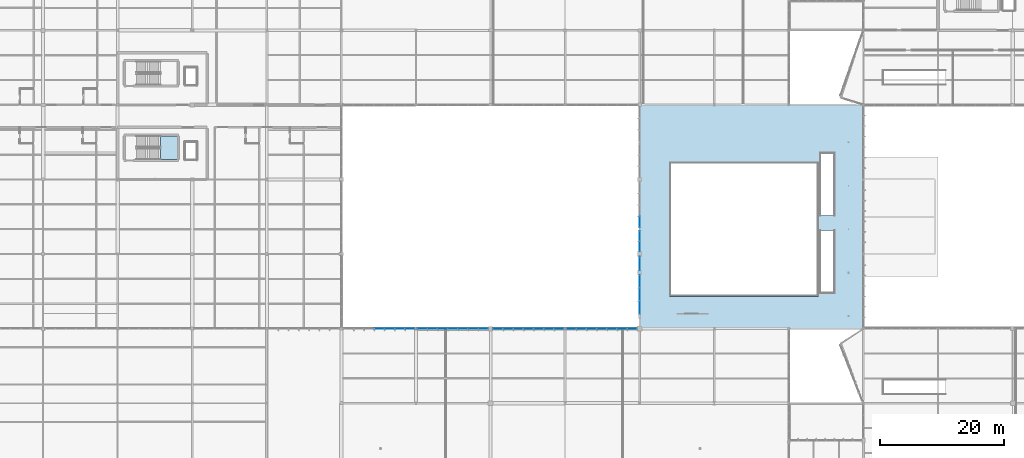
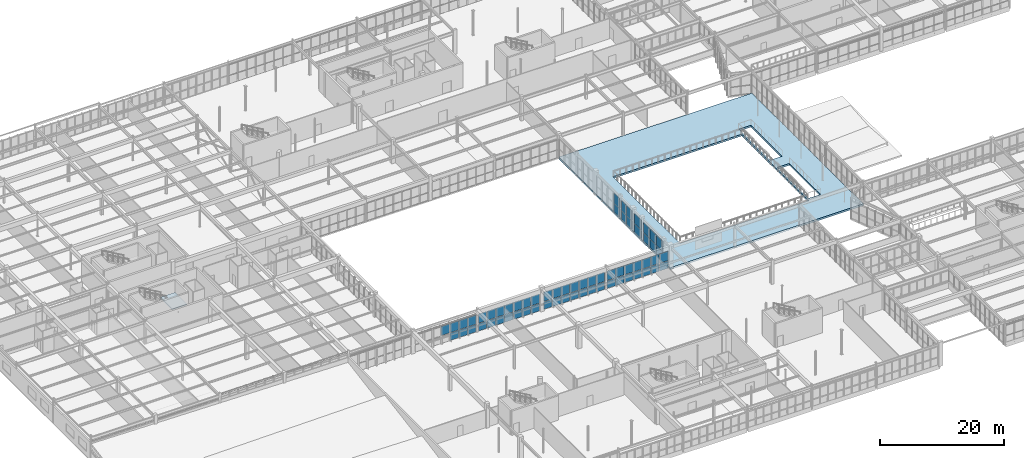
# One storey, part 138 of 226: 63 plates, 2 slabs, 9 elements without a shape of their own.
"""IFC4 building model written with IfcOpenShell, lengths in metres."""

from ifc_helpers import new_model, si_unit, direction, frame, origin, origin_2d, place, context, subcontext, project, spatial, polyline, rectangle, outline, extrude, material, layer, layer_set, type_object, element, aggregate, save


model = new_model("IFC4")

# Units and contexts
model_context = context("Model", 3, precision=1e-05, world=origin(), true_north=direction((0.0, 1.0)))
body_context = subcontext(model_context, "Body", "Model", "MODEL_VIEW")
ifc_project = project(units=[si_unit("LENGTHUNIT", "METRE"), si_unit("AREAUNIT", "SQUARE_METRE"), si_unit("VOLUMEUNIT", "CUBIC_METRE"), si_unit("PLANEANGLEUNIT", "RADIAN"), si_unit("MASSUNIT", "GRAM", prefix="KILO")], contexts=[model_context])

# Site, building, storey
site_placement = place(None, origin())
site = spatial("IfcSite", under=ifc_project, at=site_placement, CompositionType="ELEMENT")
building_placement = place(site_placement, origin())
building = spatial("IfcBuilding", under=site, at=building_placement, Name="Tarnwether General Hospital", CompositionType="ELEMENT")
storey_placement = place(building_placement, frame((0.0, 0.0, 4.800048828125)))
storey = spatial("IfcBuildingStorey", under=building, at=storey_placement, Name="L01", CompositionType="ELEMENT", Elevation=4.800048828125)

# Curtain wall, plates
ifc_material_1 = material(Name="Anodised aluminium", Category="aluminium")
ifc_layer_1 = layer(ifc_material_1, 0.159912109375)
ifc_layer_set_1 = layer_set([ifc_layer_1], Name="Anodised aluminium")
curtain_wall_type_1 = type_object("IfcCurtainWallType", Name="CW-24", PredefinedType="NOTDEFINED", material=ifc_layer_set_1)
curtain_wall_1_placement = place(storey_placement, origin())
curtain_wall_1 = element("IfcCurtainWall", 1, at=curtain_wall_1_placement, inside=storey, type_object=curtain_wall_type_1, Name="Curtain Wall CWG-L01-1076_456-0343", PredefinedType="NOTDEFINED")
ifc_material_2 = material(Name="Double glazed low-E glass", Category="glass")
ifc_layer_2 = layer(ifc_material_2, 0.028076171875)
ifc_layer_set_2 = layer_set([ifc_layer_2], Name="Double glazed low-E glass")
plate_type = type_object("IfcPlateType", Name="PT-CWP1", PredefinedType="CURTAIN_PANEL", material=ifc_layer_set_2)
plate_1_placement = place(storey_placement, frame((106.760498046875, 45.60009765625, 0.059814453125), z_axis=(0.0, 0.0, 1.0), x_axis=(-1.0, 0.0, 0.0)))
plate_1 = element("IfcPlate", 2, at=plate_1_placement, type_object=plate_type, Name="CW-24 panel 1.1", PredefinedType="CURTAIN_PANEL", context=body_context, shape_type="SweptSolid", body=[
    extrude(rectangle(XDim=1.54296875, YDim=0.028076171875, at=origin_2d()), origin(), (0.0, 0.0, 1.0), 1.49853515625),
])
plate_2_placement = place(storey_placement, frame((106.760498046875, 45.60009765625, 1.618408203125), z_axis=(0.0, 0.0, 1.0), x_axis=(-1.0, 0.0, 0.0)))
plate_2 = element("IfcPlate", 3, at=plate_2_placement, type_object=plate_type, Name="CW-24 panel 1.2", PredefinedType="CURTAIN_PANEL", context=body_context, shape_type="SweptSolid", body=[
    extrude(rectangle(XDim=1.54296875, YDim=0.028076171875, at=origin_2d()), origin(), (0.0, 0.0, 1.0), 1.8515625),
])
plate_3_placement = place(storey_placement, frame((105.142822265625, 45.60009765625, 0.059814453125), z_axis=(0.0, 0.0, 1.0), x_axis=(-1.0, 0.0, 0.0)))
plate_3 = element("IfcPlate", 4, at=plate_3_placement, type_object=plate_type, Name="CW-24 panel 2.1", PredefinedType="CURTAIN_PANEL", context=body_context, shape_type="SweptSolid", body=[
    extrude(rectangle(XDim=1.57275390625, YDim=0.028076171875, at=origin_2d()), origin(), (0.0, 0.0, 1.0), 1.49853515625),
])
plate_4_placement = place(storey_placement, frame((105.142822265625, 45.60009765625, 1.618408203125), z_axis=(0.0, 0.0, 1.0), x_axis=(-1.0, 0.0, 0.0)))
plate_4 = element("IfcPlate", 5, at=plate_4_placement, type_object=plate_type, Name="CW-24 panel 2.2", PredefinedType="CURTAIN_PANEL", context=body_context, shape_type="SweptSolid", body=[
    extrude(rectangle(XDim=1.57275390625, YDim=0.028076171875, at=origin_2d()), origin(), (0.0, 0.0, 1.0), 1.8515625),
])
plate_5_placement = place(storey_placement, frame((103.509765625, 45.60009765625, 0.059814453125), z_axis=(0.0, 0.0, 1.0), x_axis=(-1.0, 0.0, 0.0)))
plate_5 = element("IfcPlate", 6, at=plate_5_placement, type_object=plate_type, Name="CW-24 panel 3.1", PredefinedType="CURTAIN_PANEL", context=body_context, shape_type="SweptSolid", body=[
    extrude(rectangle(XDim=1.57275390625, YDim=0.028076171875, at=origin_2d()), origin(), (0.0, 0.0, 1.0), 1.49853515625),
])
plate_6_placement = place(storey_placement, frame((103.509765625, 45.60009765625, 1.618408203125), z_axis=(0.0, 0.0, 1.0), x_axis=(-1.0, 0.0, 0.0)))
plate_6 = element("IfcPlate", 7, at=plate_6_placement, type_object=plate_type, Name="CW-24 panel 3.2", PredefinedType="CURTAIN_PANEL", context=body_context, shape_type="SweptSolid", body=[
    extrude(rectangle(XDim=1.57275390625, YDim=0.028076171875, at=origin_2d()), origin(), (0.0, 0.0, 1.0), 1.8515625),
])
plate_7_placement = place(storey_placement, frame((101.876953125, 45.60009765625, 0.059814453125), z_axis=(0.0, 0.0, 1.0), x_axis=(-1.0, 0.0, 0.0)))
plate_7 = element("IfcPlate", 8, at=plate_7_placement, type_object=plate_type, Name="CW-24 panel 4.1", PredefinedType="CURTAIN_PANEL", context=body_context, shape_type="SweptSolid", body=[
    extrude(rectangle(XDim=1.57275390625, YDim=0.028076171875, at=origin_2d()), origin(), (0.0, 0.0, 1.0), 1.49853515625),
])
plate_8_placement = place(storey_placement, frame((101.876953125, 45.60009765625, 1.618408203125), z_axis=(0.0, 0.0, 1.0), x_axis=(-1.0, 0.0, 0.0)))
plate_8 = element("IfcPlate", 9, at=plate_8_placement, type_object=plate_type, Name="CW-24 panel 4.2", PredefinedType="CURTAIN_PANEL", context=body_context, shape_type="SweptSolid", body=[
    extrude(rectangle(XDim=1.57275390625, YDim=0.028076171875, at=origin_2d()), origin(), (0.0, 0.0, 1.0), 1.8515625),
])
plate_9_placement = place(storey_placement, frame((100.244140625, 45.60009765625, 0.059814453125), z_axis=(0.0, 0.0, 1.0), x_axis=(-1.0, 0.0, 0.0)))
plate_9 = element("IfcPlate", 10, at=plate_9_placement, type_object=plate_type, Name="CW-24 panel 5.1", PredefinedType="CURTAIN_PANEL", context=body_context, shape_type="SweptSolid", body=[
    extrude(rectangle(XDim=1.57275390625, YDim=0.028076171875, at=origin_2d()), origin(), (0.0, 0.0, 1.0), 1.49853515625),
])
plate_10_placement = place(storey_placement, frame((100.244140625, 45.60009765625, 1.618408203125), z_axis=(0.0, 0.0, 1.0), x_axis=(-1.0, 0.0, 0.0)))
plate_10 = element("IfcPlate", 11, at=plate_10_placement, type_object=plate_type, Name="CW-24 panel 5.2", PredefinedType="CURTAIN_PANEL", context=body_context, shape_type="SweptSolid", body=[
    extrude(rectangle(XDim=1.57275390625, YDim=0.028076171875, at=origin_2d()), origin(), (0.0, 0.0, 1.0), 1.8515625),
])
plate_11_placement = place(storey_placement, frame((98.611328125, 45.60009765625, 0.059814453125), z_axis=(0.0, 0.0, 1.0), x_axis=(-1.0, 0.0, 0.0)))
plate_11 = element("IfcPlate", 12, at=plate_11_placement, type_object=plate_type, Name="CW-24 panel 6.1", PredefinedType="CURTAIN_PANEL", context=body_context, shape_type="SweptSolid", body=[
    extrude(rectangle(XDim=1.57275390625, YDim=0.028076171875, at=origin_2d()), origin(), (0.0, 0.0, 1.0), 1.49853515625),
])
plate_12_placement = place(storey_placement, frame((98.611328125, 45.60009765625, 1.618408203125), z_axis=(0.0, 0.0, 1.0), x_axis=(-1.0, 0.0, 0.0)))
plate_12 = element("IfcPlate", 13, at=plate_12_placement, type_object=plate_type, Name="CW-24 panel 6.2", PredefinedType="CURTAIN_PANEL", context=body_context, shape_type="SweptSolid", body=[
    extrude(rectangle(XDim=1.57275390625, YDim=0.028076171875, at=origin_2d()), origin(), (0.0, 0.0, 1.0), 1.8515625),
])
plate_13_placement = place(storey_placement, frame((96.993408203125, 45.60009765625, 0.059814453125), z_axis=(0.0, 0.0, 1.0), x_axis=(-1.0, 0.0, 0.0)))
plate_13 = element("IfcPlate", 14, at=plate_13_placement, type_object=plate_type, Name="CW-24 panel 7.1", PredefinedType="CURTAIN_PANEL", context=body_context, shape_type="SweptSolid", body=[
    extrude(rectangle(XDim=1.54296875, YDim=0.028076171875, at=origin_2d()), origin(), (0.0, 0.0, 1.0), 1.49853515625),
])
plate_14_placement = place(storey_placement, frame((96.993408203125, 45.60009765625, 1.618408203125), z_axis=(0.0, 0.0, 1.0), x_axis=(-1.0, 0.0, 0.0)))
plate_14 = element("IfcPlate", 15, at=plate_14_placement, type_object=plate_type, Name="CW-24 panel 7.2", PredefinedType="CURTAIN_PANEL", context=body_context, shape_type="SweptSolid", body=[
    extrude(rectangle(XDim=1.54296875, YDim=0.028076171875, at=origin_2d()), origin(), (0.0, 0.0, 1.0), 1.8515625),
])
aggregate(curtain_wall_1, [plate_1, plate_2, plate_3, plate_4, plate_5, plate_6, plate_7, plate_8, plate_9, plate_10, plate_11, plate_12, plate_13, plate_14])

curtain_wall_2_placement = place(storey_placement, origin())
curtain_wall_2 = element("IfcCurtainWall", 16, at=curtain_wall_2_placement, inside=storey, type_object=curtain_wall_type_1, Name="Curtain Wall CWG-L01-958_456-0344", PredefinedType="NOTDEFINED")
plate_15_placement = place(storey_placement, frame((95.0029296875, 45.60009765625, 0.059814453125), z_axis=(0.0, 0.0, 1.0), x_axis=(-1.0, 0.0, 0.0)))
plate_15 = element("IfcPlate", 17, at=plate_15_placement, type_object=plate_type, Name="CW-24 panel 1.1", PredefinedType="CURTAIN_PANEL", context=body_context, shape_type="SweptSolid", body=[
    extrude(rectangle(XDim=1.550048828125, YDim=0.028076171875, at=origin_2d()), origin(), (0.0, 0.0, 1.0), 1.49853515625),
])
plate_16_placement = place(storey_placement, frame((95.0029296875, 45.60009765625, 1.618408203125), z_axis=(0.0, 0.0, 1.0), x_axis=(-1.0, 0.0, 0.0)))
plate_16 = element("IfcPlate", 18, at=plate_16_placement, type_object=plate_type, Name="CW-24 panel 1.2", PredefinedType="CURTAIN_PANEL", context=body_context, shape_type="SweptSolid", body=[
    extrude(rectangle(XDim=1.550048828125, YDim=0.028076171875, at=origin_2d()), origin(), (0.0, 0.0, 1.0), 1.8515625),
])
plate_17_placement = place(storey_placement, frame((93.3779296875, 45.60009765625, 0.059814453125), z_axis=(0.0, 0.0, 1.0), x_axis=(-1.0, 0.0, 0.0)))
plate_17 = element("IfcPlate", 19, at=plate_17_placement, type_object=plate_type, Name="CW-24 panel 2.1", PredefinedType="CURTAIN_PANEL", context=body_context, shape_type="SweptSolid", body=[
    extrude(rectangle(XDim=1.580078125, YDim=0.028076171875, at=origin_2d()), origin(), (0.0, 0.0, 1.0), 1.49853515625),
])
plate_18_placement = place(storey_placement, frame((93.3779296875, 45.60009765625, 1.618408203125), z_axis=(0.0, 0.0, 1.0), x_axis=(-1.0, 0.0, 0.0)))
plate_18 = element("IfcPlate", 20, at=plate_18_placement, type_object=plate_type, Name="CW-24 panel 2.2", PredefinedType="CURTAIN_PANEL", context=body_context, shape_type="SweptSolid", body=[
    extrude(rectangle(XDim=1.580078125, YDim=0.028076171875, at=origin_2d()), origin(), (0.0, 0.0, 1.0), 1.8515625),
])
plate_19_placement = place(storey_placement, frame((91.738037109375, 45.60009765625, 0.059814453125), z_axis=(0.0, 0.0, 1.0), x_axis=(-1.0, 0.0, 0.0)))
plate_19 = element("IfcPlate", 21, at=plate_19_placement, type_object=plate_type, Name="CW-24 panel 3.1", PredefinedType="CURTAIN_PANEL", context=body_context, shape_type="SweptSolid", body=[
    extrude(rectangle(XDim=1.580078125, YDim=0.028076171875, at=origin_2d()), origin(), (0.0, 0.0, 1.0), 1.49853515625),
])
plate_20_placement = place(storey_placement, frame((91.738037109375, 45.60009765625, 1.618408203125), z_axis=(0.0, 0.0, 1.0), x_axis=(-1.0, 0.0, 0.0)))
plate_20 = element("IfcPlate", 22, at=plate_20_placement, type_object=plate_type, Name="CW-24 panel 3.2", PredefinedType="CURTAIN_PANEL", context=body_context, shape_type="SweptSolid", body=[
    extrude(rectangle(XDim=1.580078125, YDim=0.028076171875, at=origin_2d()), origin(), (0.0, 0.0, 1.0), 1.8515625),
])
plate_21_placement = place(storey_placement, frame((90.097900390625, 45.60009765625, 0.059814453125), z_axis=(0.0, 0.0, 1.0), x_axis=(-1.0, 0.0, 0.0)))
plate_21 = element("IfcPlate", 23, at=plate_21_placement, type_object=plate_type, Name="CW-24 panel 4.1", PredefinedType="CURTAIN_PANEL", context=body_context, shape_type="SweptSolid", body=[
    extrude(rectangle(XDim=1.580078125, YDim=0.028076171875, at=origin_2d()), origin(), (0.0, 0.0, 1.0), 1.49853515625),
])
plate_22_placement = place(storey_placement, frame((90.097900390625, 45.60009765625, 1.618408203125), z_axis=(0.0, 0.0, 1.0), x_axis=(-1.0, 0.0, 0.0)))
plate_22 = element("IfcPlate", 24, at=plate_22_placement, type_object=plate_type, Name="CW-24 panel 4.2", PredefinedType="CURTAIN_PANEL", context=body_context, shape_type="SweptSolid", body=[
    extrude(rectangle(XDim=1.580078125, YDim=0.028076171875, at=origin_2d()), origin(), (0.0, 0.0, 1.0), 1.8515625),
])
plate_23_placement = place(storey_placement, frame((88.4580078125, 45.60009765625, 0.059814453125), z_axis=(0.0, 0.0, 1.0), x_axis=(-1.0, 0.0, 0.0)))
plate_23 = element("IfcPlate", 25, at=plate_23_placement, type_object=plate_type, Name="CW-24 panel 5.1", PredefinedType="CURTAIN_PANEL", context=body_context, shape_type="SweptSolid", body=[
    extrude(rectangle(XDim=1.580078125, YDim=0.028076171875, at=origin_2d()), origin(), (0.0, 0.0, 1.0), 1.49853515625),
])
plate_24_placement = place(storey_placement, frame((88.4580078125, 45.60009765625, 1.618408203125), z_axis=(0.0, 0.0, 1.0), x_axis=(-1.0, 0.0, 0.0)))
plate_24 = element("IfcPlate", 26, at=plate_24_placement, type_object=plate_type, Name="CW-24 panel 5.2", PredefinedType="CURTAIN_PANEL", context=body_context, shape_type="SweptSolid", body=[
    extrude(rectangle(XDim=1.580078125, YDim=0.028076171875, at=origin_2d()), origin(), (0.0, 0.0, 1.0), 1.8515625),
])
plate_25_placement = place(storey_placement, frame((86.818115234375, 45.60009765625, 0.059814453125), z_axis=(0.0, 0.0, 1.0), x_axis=(-1.0, 0.0, 0.0)))
plate_25 = element("IfcPlate", 27, at=plate_25_placement, type_object=plate_type, Name="CW-24 panel 6.1", PredefinedType="CURTAIN_PANEL", context=body_context, shape_type="SweptSolid", body=[
    extrude(rectangle(XDim=1.580078125, YDim=0.028076171875, at=origin_2d()), origin(), (0.0, 0.0, 1.0), 1.49853515625),
])
plate_26_placement = place(storey_placement, frame((86.818115234375, 45.60009765625, 1.618408203125), z_axis=(0.0, 0.0, 1.0), x_axis=(-1.0, 0.0, 0.0)))
plate_26 = element("IfcPlate", 28, at=plate_26_placement, type_object=plate_type, Name="CW-24 panel 6.2", PredefinedType="CURTAIN_PANEL", context=body_context, shape_type="SweptSolid", body=[
    extrude(rectangle(XDim=1.580078125, YDim=0.028076171875, at=origin_2d()), origin(), (0.0, 0.0, 1.0), 1.8515625),
])
plate_27_placement = place(storey_placement, frame((85.193115234375, 45.60009765625, 0.059814453125), z_axis=(0.0, 0.0, 1.0), x_axis=(-1.0, 0.0, 0.0)))
plate_27 = element("IfcPlate", 29, at=plate_27_placement, type_object=plate_type, Name="CW-24 panel 7.1", PredefinedType="CURTAIN_PANEL", context=body_context, shape_type="SweptSolid", body=[
    extrude(rectangle(XDim=1.550048828125, YDim=0.028076171875, at=origin_2d()), origin(), (0.0, 0.0, 1.0), 1.49853515625),
])
plate_28_placement = place(storey_placement, frame((85.193115234375, 45.60009765625, 1.618408203125), z_axis=(0.0, 0.0, 1.0), x_axis=(-1.0, 0.0, 0.0)))
plate_28 = element("IfcPlate", 30, at=plate_28_placement, type_object=plate_type, Name="CW-24 panel 7.2", PredefinedType="CURTAIN_PANEL", context=body_context, shape_type="SweptSolid", body=[
    extrude(rectangle(XDim=1.550048828125, YDim=0.028076171875, at=origin_2d()), origin(), (0.0, 0.0, 1.0), 1.8515625),
])
aggregate(curtain_wall_2, [plate_15, plate_16, plate_17, plate_18, plate_19, plate_20, plate_21, plate_22, plate_23, plate_24, plate_25, plate_26, plate_27, plate_28])

curtain_wall_3_placement = place(storey_placement, origin())
curtain_wall_3 = element("IfcCurtainWall", 31, at=curtain_wall_3_placement, inside=storey, type_object=curtain_wall_type_1, Name="Curtain Wall CWG-L01-836_456-0345", PredefinedType="NOTDEFINED")
plate_29_placement = place(storey_placement, frame((82.806884765625, 45.60009765625, 0.059814453125), z_axis=(0.0, 0.0, 1.0), x_axis=(-1.0, 0.0, 0.0)))
plate_29 = element("IfcPlate", 32, at=plate_29_placement, type_object=plate_type, Name="CW-24 panel 1.1", PredefinedType="CURTAIN_PANEL", context=body_context, shape_type="SweptSolid", body=[
    extrude(rectangle(XDim=1.55029296875, YDim=0.028076171875, at=origin_2d()), origin(), (0.0, 0.0, 1.0), 1.47607421875),
])
plate_30_placement = place(storey_placement, frame((82.806884765625, 45.60009765625, 1.59619140625), z_axis=(0.0, 0.0, 1.0), x_axis=(-1.0, 0.0, 0.0)))
plate_30 = element("IfcPlate", 33, at=plate_30_placement, type_object=plate_type, Name="CW-24 panel 1.2", PredefinedType="CURTAIN_PANEL", context=body_context, shape_type="SweptSolid", body=[
    extrude(rectangle(XDim=1.55029296875, YDim=0.028076171875, at=origin_2d()), origin(), (0.0, 0.0, 1.0), 1.823974609375),
])
plate_31_placement = place(storey_placement, frame((81.181640625, 45.60009765625, 0.059814453125), z_axis=(0.0, 0.0, 1.0), x_axis=(-1.0, 0.0, 0.0)))
plate_31 = element("IfcPlate", 34, at=plate_31_placement, type_object=plate_type, Name="CW-24 panel 2.1", PredefinedType="CURTAIN_PANEL", context=body_context, shape_type="SweptSolid", body=[
    extrude(rectangle(XDim=1.580322265625, YDim=0.028076171875, at=origin_2d()), origin(), (0.0, 0.0, 1.0), 1.47607421875),
])
plate_32_placement = place(storey_placement, frame((81.181640625, 45.60009765625, 1.59619140625), z_axis=(0.0, 0.0, 1.0), x_axis=(-1.0, 0.0, 0.0)))
plate_32 = element("IfcPlate", 35, at=plate_32_placement, type_object=plate_type, Name="CW-24 panel 2.2", PredefinedType="CURTAIN_PANEL", context=body_context, shape_type="SweptSolid", body=[
    extrude(rectangle(XDim=1.580322265625, YDim=0.028076171875, at=origin_2d()), origin(), (0.0, 0.0, 1.0), 1.823974609375),
])
plate_33_placement = place(storey_placement, frame((79.541259765625, 45.60009765625, 0.059814453125), z_axis=(0.0, 0.0, 1.0), x_axis=(-1.0, 0.0, 0.0)))
plate_33 = element("IfcPlate", 36, at=plate_33_placement, type_object=plate_type, Name="CW-24 panel 3.1", PredefinedType="CURTAIN_PANEL", context=body_context, shape_type="SweptSolid", body=[
    extrude(rectangle(XDim=1.580322265625, YDim=0.028076171875, at=origin_2d()), origin(), (0.0, 0.0, 1.0), 1.47607421875),
])
plate_34_placement = place(storey_placement, frame((79.541259765625, 45.60009765625, 1.59619140625), z_axis=(0.0, 0.0, 1.0), x_axis=(-1.0, 0.0, 0.0)))
plate_34 = element("IfcPlate", 37, at=plate_34_placement, type_object=plate_type, Name="CW-24 panel 3.2", PredefinedType="CURTAIN_PANEL", context=body_context, shape_type="SweptSolid", body=[
    extrude(rectangle(XDim=1.580322265625, YDim=0.028076171875, at=origin_2d()), origin(), (0.0, 0.0, 1.0), 1.823974609375),
])
plate_35_placement = place(storey_placement, frame((77.90087890625, 45.60009765625, 0.059814453125), z_axis=(0.0, 0.0, 1.0), x_axis=(-1.0, 0.0, 0.0)))
plate_35 = element("IfcPlate", 38, at=plate_35_placement, type_object=plate_type, Name="CW-24 panel 4.1", PredefinedType="CURTAIN_PANEL", context=body_context, shape_type="SweptSolid", body=[
    extrude(rectangle(XDim=1.580322265625, YDim=0.028076171875, at=origin_2d()), origin(), (0.0, 0.0, 1.0), 1.47607421875),
])
plate_36_placement = place(storey_placement, frame((77.90087890625, 45.60009765625, 1.59619140625), z_axis=(0.0, 0.0, 1.0), x_axis=(-1.0, 0.0, 0.0)))
plate_36 = element("IfcPlate", 39, at=plate_36_placement, type_object=plate_type, Name="CW-24 panel 4.2", PredefinedType="CURTAIN_PANEL", context=body_context, shape_type="SweptSolid", body=[
    extrude(rectangle(XDim=1.580322265625, YDim=0.028076171875, at=origin_2d()), origin(), (0.0, 0.0, 1.0), 1.823974609375),
])
plate_37_placement = place(storey_placement, frame((76.2607421875, 45.60009765625, 0.059814453125), z_axis=(0.0, 0.0, 1.0), x_axis=(-1.0, 0.0, 0.0)))
plate_37 = element("IfcPlate", 40, at=plate_37_placement, type_object=plate_type, Name="CW-24 panel 5.1", PredefinedType="CURTAIN_PANEL", context=body_context, shape_type="SweptSolid", body=[
    extrude(rectangle(XDim=1.580322265625, YDim=0.028076171875, at=origin_2d()), origin(), (0.0, 0.0, 1.0), 1.47607421875),
])
plate_38_placement = place(storey_placement, frame((76.2607421875, 45.60009765625, 1.59619140625), z_axis=(0.0, 0.0, 1.0), x_axis=(-1.0, 0.0, 0.0)))
plate_38 = element("IfcPlate", 41, at=plate_38_placement, type_object=plate_type, Name="CW-24 panel 5.2", PredefinedType="CURTAIN_PANEL", context=body_context, shape_type="SweptSolid", body=[
    extrude(rectangle(XDim=1.580322265625, YDim=0.028076171875, at=origin_2d()), origin(), (0.0, 0.0, 1.0), 1.823974609375),
])
plate_39_placement = place(storey_placement, frame((74.620361328125, 45.60009765625, 0.059814453125), z_axis=(0.0, 0.0, 1.0), x_axis=(-1.0, 0.0, 0.0)))
plate_39 = element("IfcPlate", 42, at=plate_39_placement, type_object=plate_type, Name="CW-24 panel 6.1", PredefinedType="CURTAIN_PANEL", context=body_context, shape_type="SweptSolid", body=[
    extrude(rectangle(XDim=1.580322265625, YDim=0.028076171875, at=origin_2d()), origin(), (0.0, 0.0, 1.0), 1.47607421875),
])
plate_40_placement = place(storey_placement, frame((74.620361328125, 45.60009765625, 1.59619140625), z_axis=(0.0, 0.0, 1.0), x_axis=(-1.0, 0.0, 0.0)))
plate_40 = element("IfcPlate", 43, at=plate_40_placement, type_object=plate_type, Name="CW-24 panel 6.2", PredefinedType="CURTAIN_PANEL", context=body_context, shape_type="SweptSolid", body=[
    extrude(rectangle(XDim=1.580322265625, YDim=0.028076171875, at=origin_2d()), origin(), (0.0, 0.0, 1.0), 1.823974609375),
])
plate_41_placement = place(storey_placement, frame((72.9951171875, 45.60009765625, 0.059814453125), z_axis=(0.0, 0.0, 1.0), x_axis=(-1.0, 0.0, 0.0)))
plate_41 = element("IfcPlate", 44, at=plate_41_placement, type_object=plate_type, Name="CW-24 panel 7.1", PredefinedType="CURTAIN_PANEL", context=body_context, shape_type="SweptSolid", body=[
    extrude(rectangle(XDim=1.55029296875, YDim=0.028076171875, at=origin_2d()), origin(), (0.0, 0.0, 1.0), 1.47607421875),
])
plate_42_placement = place(storey_placement, frame((72.9951171875, 45.60009765625, 1.59619140625), z_axis=(0.0, 0.0, 1.0), x_axis=(-1.0, 0.0, 0.0)))
plate_42 = element("IfcPlate", 45, at=plate_42_placement, type_object=plate_type, Name="CW-24 panel 7.2", PredefinedType="CURTAIN_PANEL", context=body_context, shape_type="SweptSolid", body=[
    extrude(rectangle(XDim=1.55029296875, YDim=0.028076171875, at=origin_2d()), origin(), (0.0, 0.0, 1.0), 1.823974609375),
])
aggregate(curtain_wall_3, [plate_29, plate_30, plate_31, plate_32, plate_33, plate_34, plate_35, plate_36, plate_37, plate_38, plate_39, plate_40, plate_41, plate_42])

curtain_wall_4_placement = place(storey_placement, origin())
curtain_wall_4 = element("IfcCurtainWall", 46, at=curtain_wall_4_placement, inside=storey, type_object=curtain_wall_type_1, Name="Curtain Wall CWG-L01-718_456-0346", PredefinedType="NOTDEFINED")
plate_43_placement = place(storey_placement, frame((71.001220703125, 45.60009765625, 0.059814453125), z_axis=(0.0, 0.0, 1.0), x_axis=(-1.0, 0.0, 0.0)))
plate_43 = element("IfcPlate", 47, at=plate_43_placement, type_object=plate_type, Name="CW-24 panel 1.1", PredefinedType="CURTAIN_PANEL", context=body_context, shape_type="SweptSolid", body=[
    extrude(rectangle(XDim=1.557373046875, YDim=0.028076171875, at=origin_2d()), origin(), (0.0, 0.0, 1.0), 1.47607421875),
])
plate_44_placement = place(storey_placement, frame((71.001220703125, 45.60009765625, 1.59619140625), z_axis=(0.0, 0.0, 1.0), x_axis=(-1.0, 0.0, 0.0)))
plate_44 = element("IfcPlate", 48, at=plate_44_placement, type_object=plate_type, Name="CW-24 panel 1.2", PredefinedType="CURTAIN_PANEL", context=body_context, shape_type="SweptSolid", body=[
    extrude(rectangle(XDim=1.557373046875, YDim=0.028076171875, at=origin_2d()), origin(), (0.0, 0.0, 1.0), 1.823974609375),
])
plate_45_placement = place(storey_placement, frame((69.368896484375, 45.60009765625, 0.059814453125), z_axis=(0.0, 0.0, 1.0), x_axis=(-1.0, 0.0, 0.0)))
plate_45 = element("IfcPlate", 49, at=plate_45_placement, type_object=plate_type, Name="CW-24 panel 2.1", PredefinedType="CURTAIN_PANEL", context=body_context, shape_type="SweptSolid", body=[
    extrude(rectangle(XDim=1.58740234375, YDim=0.028076171875, at=origin_2d()), origin(), (0.0, 0.0, 1.0), 1.47607421875),
])
plate_46_placement = place(storey_placement, frame((69.368896484375, 45.60009765625, 1.59619140625), z_axis=(0.0, 0.0, 1.0), x_axis=(-1.0, 0.0, 0.0)))
plate_46 = element("IfcPlate", 50, at=plate_46_placement, type_object=plate_type, Name="CW-24 panel 2.2", PredefinedType="CURTAIN_PANEL", context=body_context, shape_type="SweptSolid", body=[
    extrude(rectangle(XDim=1.58740234375, YDim=0.028076171875, at=origin_2d()), origin(), (0.0, 0.0, 1.0), 1.823974609375),
])
plate_47_placement = place(storey_placement, frame((67.721435546875, 45.60009765625, 0.059814453125), z_axis=(0.0, 0.0, 1.0), x_axis=(-1.0, 0.0, 0.0)))
plate_47 = element("IfcPlate", 51, at=plate_47_placement, type_object=plate_type, Name="CW-24 panel 3.1", PredefinedType="CURTAIN_PANEL", context=body_context, shape_type="SweptSolid", body=[
    extrude(rectangle(XDim=1.58740234375, YDim=0.028076171875, at=origin_2d()), origin(), (0.0, 0.0, 1.0), 1.47607421875),
])
plate_48_placement = place(storey_placement, frame((67.721435546875, 45.60009765625, 1.59619140625), z_axis=(0.0, 0.0, 1.0), x_axis=(-1.0, 0.0, 0.0)))
plate_48 = element("IfcPlate", 52, at=plate_48_placement, type_object=plate_type, Name="CW-24 panel 3.2", PredefinedType="CURTAIN_PANEL", context=body_context, shape_type="SweptSolid", body=[
    extrude(rectangle(XDim=1.58740234375, YDim=0.028076171875, at=origin_2d()), origin(), (0.0, 0.0, 1.0), 1.823974609375),
])
plate_49_placement = place(storey_placement, frame((66.073974609375, 45.60009765625, 1.59619140625), z_axis=(0.0, 0.0, 1.0), x_axis=(-1.0, 0.0, 0.0)))
plate_49 = element("IfcPlate", 53, at=plate_49_placement, type_object=plate_type, Name="CW-24 panel 4.2", PredefinedType="CURTAIN_PANEL", context=body_context, shape_type="SweptSolid", body=[
    extrude(rectangle(XDim=1.58740234375, YDim=0.028076171875, at=origin_2d()), origin(), (0.0, 0.0, 1.0), 1.823974609375),
])
aggregate(curtain_wall_4, [plate_43, plate_44, plate_45, plate_46, plate_47, plate_48, plate_49])

ifc_material_3 = material(Name="Anodised aluminium", Category="aluminium")
ifc_layer_3 = layer(ifc_material_3, 0.179931640625)
ifc_layer_set_3 = layer_set([ifc_layer_3], Name="Anodised aluminium")
curtain_wall_type_2 = type_object("IfcCurtainWallType", Name="CW-07", PredefinedType="NOTDEFINED", material=ifc_layer_set_3)
curtain_wall_5_placement = place(storey_placement, origin())
curtain_wall_5 = element("IfcCurtainWall", 54, at=curtain_wall_5_placement, inside=storey, type_object=curtain_wall_type_2, Name="Curtain Wall CWG-L01-1080_480-0355", PredefinedType="NOTDEFINED")
plate_50_placement = place(storey_placement, frame((108.0, 49.0244140625, 0.06005859375), z_axis=(0.0, 0.0, 1.0), x_axis=(0.0, 1.0, 0.0)))
plate_50 = element("IfcPlate", 55, at=plate_50_placement, type_object=plate_type, Name="CW-07 panel 1.1", PredefinedType="CURTAIN_PANEL", context=body_context, shape_type="SweptSolid", body=[
    extrude(rectangle(XDim=2.012939453125, YDim=0.028076171875, at=origin_2d()), origin(), (0.0, 0.0, 1.0), 1.628173828125),
])
plate_51_placement = place(storey_placement, frame((108.0, 49.0244140625, 1.748046875), z_axis=(0.0, 0.0, 1.0), x_axis=(0.0, 1.0, 0.0)))
plate_51 = element("IfcPlate", 56, at=plate_51_placement, type_object=plate_type, Name="CW-07 panel 1.2", PredefinedType="CURTAIN_PANEL", context=body_context, shape_type="SweptSolid", body=[
    extrude(rectangle(XDim=2.012939453125, YDim=0.028076171875, at=origin_2d()), origin(), (0.0, 0.0, 1.0), 2.010009765625),
])
plate_52_placement = place(storey_placement, frame((108.0, 51.112548828125, 0.06005859375), z_axis=(0.0, 0.0, 1.0), x_axis=(0.0, 1.0, 0.0)))
plate_52 = element("IfcPlate", 57, at=plate_52_placement, type_object=plate_type, Name="CW-07 panel 2.1", PredefinedType="CURTAIN_PANEL", context=body_context, shape_type="SweptSolid", body=[
    extrude(rectangle(XDim=2.04296875, YDim=0.028076171875, at=origin_2d()), origin(), (0.0, 0.0, 1.0), 1.628173828125),
])
plate_53_placement = place(storey_placement, frame((108.0, 51.112548828125, 1.748046875), z_axis=(0.0, 0.0, 1.0), x_axis=(0.0, 1.0, 0.0)))
plate_53 = element("IfcPlate", 58, at=plate_53_placement, type_object=plate_type, Name="CW-07 panel 2.2", PredefinedType="CURTAIN_PANEL", context=body_context, shape_type="SweptSolid", body=[
    extrude(rectangle(XDim=2.04296875, YDim=0.028076171875, at=origin_2d()), origin(), (0.0, 0.0, 1.0), 2.010009765625),
])
plate_54_placement = place(storey_placement, frame((108.0, 53.200439453125, 0.06005859375), z_axis=(0.0, 0.0, 1.0), x_axis=(0.0, 1.0, 0.0)))
plate_54 = element("IfcPlate", 59, at=plate_54_placement, type_object=plate_type, Name="CW-07 panel 3.1", PredefinedType="CURTAIN_PANEL", context=body_context, shape_type="SweptSolid", body=[
    extrude(rectangle(XDim=2.012939453125, YDim=0.028076171875, at=origin_2d()), origin(), (0.0, 0.0, 1.0), 1.628173828125),
])
plate_55_placement = place(storey_placement, frame((108.0, 53.200439453125, 1.748046875), z_axis=(0.0, 0.0, 1.0), x_axis=(0.0, 1.0, 0.0)))
plate_55 = element("IfcPlate", 60, at=plate_55_placement, type_object=plate_type, Name="CW-07 panel 3.2", PredefinedType="CURTAIN_PANEL", context=body_context, shape_type="SweptSolid", body=[
    extrude(rectangle(XDim=2.012939453125, YDim=0.028076171875, at=origin_2d()), origin(), (0.0, 0.0, 1.0), 2.010009765625),
])
aggregate(curtain_wall_5, [plate_50, plate_51, plate_52, plate_53, plate_54, plate_55])

curtain_wall_6_placement = place(storey_placement, origin())
curtain_wall_6 = element("IfcCurtainWall", 61, at=curtain_wall_6_placement, inside=storey, type_object=curtain_wall_type_2, Name="Curtain Wall CWG-L01-1080_549-0356", PredefinedType="NOTDEFINED")
plate_56_placement = place(storey_placement, frame((108.0, 56.074951171875, 0.06005859375), z_axis=(0.0, 0.0, 1.0), x_axis=(0.0, 1.0, 0.0)))
plate_56 = element("IfcPlate", 62, at=plate_56_placement, type_object=plate_type, Name="CW-07 panel 1.1", PredefinedType="CURTAIN_PANEL", context=body_context, shape_type="SweptSolid", body=[
    extrude(rectangle(XDim=2.1640625, YDim=0.028076171875, at=origin_2d()), origin(), (0.0, 0.0, 1.0), 1.628173828125),
])
plate_57_placement = place(storey_placement, frame((108.0, 56.074951171875, 1.748046875), z_axis=(0.0, 0.0, 1.0), x_axis=(0.0, 1.0, 0.0)))
plate_57 = element("IfcPlate", 63, at=plate_57_placement, type_object=plate_type, Name="CW-07 panel 1.2", PredefinedType="CURTAIN_PANEL", context=body_context, shape_type="SweptSolid", body=[
    extrude(rectangle(XDim=2.1640625, YDim=0.028076171875, at=origin_2d()), origin(), (0.0, 0.0, 1.0), 2.010009765625),
])
aggregate(curtain_wall_6, [plate_56, plate_57])

curtain_wall_7_placement = place(storey_placement, origin())
curtain_wall_7 = element("IfcCurtainWall", 64, at=curtain_wall_7_placement, inside=storey, type_object=curtain_wall_type_2, Name="Curtain Wall CWG-L01-1080_580-0357", PredefinedType="NOTDEFINED")
plate_58_placement = place(storey_placement, frame((108.0, 58.837646484375, 0.059814453125), z_axis=(0.0, 0.0, 1.0), x_axis=(0.0, 1.0, 0.0)))
plate_58 = element("IfcPlate", 65, at=plate_58_placement, type_object=plate_type, Name="CW-07 panel 1.1", PredefinedType="CURTAIN_PANEL", context=body_context, shape_type="SweptSolid", body=[
    extrude(rectangle(XDim=1.589599609375, YDim=0.028076171875, at=origin_2d()), origin(), (0.0, 0.0, 1.0), 1.63037109375),
])
plate_59_placement = place(storey_placement, frame((108.0, 58.837646484375, 1.750244140625), z_axis=(0.0, 0.0, 1.0), x_axis=(0.0, 1.0, 0.0)))
plate_59 = element("IfcPlate", 66, at=plate_59_placement, type_object=plate_type, Name="CW-07 panel 1.2", PredefinedType="CURTAIN_PANEL", context=body_context, shape_type="SweptSolid", body=[
    extrude(rectangle(XDim=1.589599609375, YDim=0.028076171875, at=origin_2d()), origin(), (0.0, 0.0, 1.0), 2.0126953125),
])
plate_60_placement = place(storey_placement, frame((108.0, 60.4873046875, 0.059814453125), z_axis=(0.0, 0.0, 1.0), x_axis=(0.0, 1.0, 0.0)))
plate_60 = element("IfcPlate", 67, at=plate_60_placement, type_object=plate_type, Name="CW-07 panel 2.1", PredefinedType="CURTAIN_PANEL", context=body_context, shape_type="SweptSolid", body=[
    extrude(rectangle(XDim=1.589599609375, YDim=0.028076171875, at=origin_2d()), origin(), (0.0, 0.0, 1.0), 1.63037109375),
])
plate_61_placement = place(storey_placement, frame((108.0, 60.4873046875, 1.750244140625), z_axis=(0.0, 0.0, 1.0), x_axis=(0.0, 1.0, 0.0)))
plate_61 = element("IfcPlate", 68, at=plate_61_placement, type_object=plate_type, Name="CW-07 panel 2.2", PredefinedType="CURTAIN_PANEL", context=body_context, shape_type="SweptSolid", body=[
    extrude(rectangle(XDim=1.589599609375, YDim=0.028076171875, at=origin_2d()), origin(), (0.0, 0.0, 1.0), 2.0126953125),
])
aggregate(curtain_wall_7, [plate_58, plate_59, plate_60, plate_61])

curtain_wall_8_placement = place(storey_placement, origin())
curtain_wall_8 = element("IfcCurtainWall", 69, at=curtain_wall_8_placement, inside=storey, type_object=curtain_wall_type_2, Name="Curtain Wall CWG-L01-1080_619-0358", PredefinedType="NOTDEFINED")
plate_62_placement = place(storey_placement, frame((108.0, 62.7958984375, 0.059814453125), z_axis=(0.0, 0.0, 1.0), x_axis=(0.0, 1.0, 0.0)))
plate_62 = element("IfcPlate", 70, at=plate_62_placement, type_object=plate_type, Name="CW-07 panel 1.1", PredefinedType="CURTAIN_PANEL", context=body_context, shape_type="SweptSolid", body=[
    extrude(rectangle(XDim=1.756103515625, YDim=0.028076171875, at=origin_2d()), origin(), (0.0, 0.0, 1.0), 1.63037109375),
])
plate_63_placement = place(storey_placement, frame((108.0, 62.7958984375, 1.750244140625), z_axis=(0.0, 0.0, 1.0), x_axis=(0.0, 1.0, 0.0)))
plate_63 = element("IfcPlate", 71, at=plate_63_placement, type_object=plate_type, Name="CW-07 panel 1.2", PredefinedType="CURTAIN_PANEL", context=body_context, shape_type="SweptSolid", body=[
    extrude(rectangle(XDim=1.756103515625, YDim=0.028076171875, at=origin_2d()), origin(), (0.0, 0.0, 1.0), 2.0126953125),
])
aggregate(curtain_wall_8, [plate_62, plate_63])

# Slab
ifc_material_4 = material(Name="Concrete 40 MPa", Category="concrete")
ifc_layer_4 = layer(ifc_material_4, 0.35498046875)
ifc_layer_set_4 = layer_set([ifc_layer_4], Name="Concrete 40 MPa")
slab_type_1 = type_object("IfcSlabType", Name="SL-FL220", PredefinedType="FLOOR", material=ifc_layer_set_4)
slab_1_placement = place(storey_placement, frame((0.0, 0.0, -0.35498046875)))
element("IfcSlab", 72, at=slab_1_placement, inside=storey, type_object=slab_type_1, Name="L01 Main Hall Gallery Floor SL-L01-V1G", PredefinedType="FLOOR", context=body_context, shape_type="SweptSolid", body=[
    extrude(outline(polyline([(144.0, 81.60009765625), (144.0, 45.60009765625), (108.0, 45.60009765625), (108.0, 81.60009765625), (144.0, 81.60009765625)]), holes=[polyline([(112.800048828125, 50.800048828125), (136.800048828125, 50.800048828125), (136.800048828125, 72.39990234375), (112.800048828125, 72.39990234375), (112.800048828125, 50.800048828125)]), polyline([(137.080078125, 61.419921875), (137.080078125, 51.3798828125), (139.320068359375, 51.3798828125), (139.320068359375, 61.419921875), (137.080078125, 61.419921875)]), polyline([(137.080078125, 63.780029296875), (139.320068359375, 63.780029296875), (139.320068359375, 73.820068359375), (137.080078125, 73.820068359375), (137.080078125, 63.780029296875)])]), origin(), (0.0, 0.0, 1.0), 0.35498046875),
])

# Stair, slab
ifc_material_5 = material(Name="Concrete 40 MPa", Category="concrete")
stair_type = type_object("IfcStairType", Name="ST-DL48A", PredefinedType="HALF_TURN_STAIR", material=ifc_material_5)
stair_placement = place(storey_placement, origin())
stair = element("IfcStair", 73, at=stair_placement, inside=storey, type_object=stair_type, Name="L01 Exit Stair ST-03", PredefinedType="HALF_TURN_STAIR")
ifc_material_6 = material(Name="Concrete 40 MPa", Category="concrete")
ifc_layer_5 = layer(ifc_material_6, 0.199951171875)
ifc_layer_set_5 = layer_set([ifc_layer_5], Name="Concrete 40 MPa")
slab_type_2 = type_object("IfcSlabType", Name="SL-LD200", PredefinedType="LANDING", material=ifc_layer_set_5)
slab_2_placement = place(storey_placement, frame((0.0, 0.0, 2.199951171875)))
slab_2 = element("IfcSlab", 74, at=slab_2_placement, type_object=slab_type_2, Name="ST-03 landing 1", PredefinedType="LANDING", context=body_context, shape_type="SweptSolid", body=[
    extrude(outline(polyline([(30.89990234375, 72.800048828125), (33.60009765625, 72.800048828125), (33.60009765625, 76.60009765625), (30.89990234375, 76.60009765625), (30.89990234375, 72.800048828125)])), origin(), (0.0, 0.0, 1.0), 0.199951171875),
])
aggregate(stair, [slab_2])

save(model, "model.ifc")
